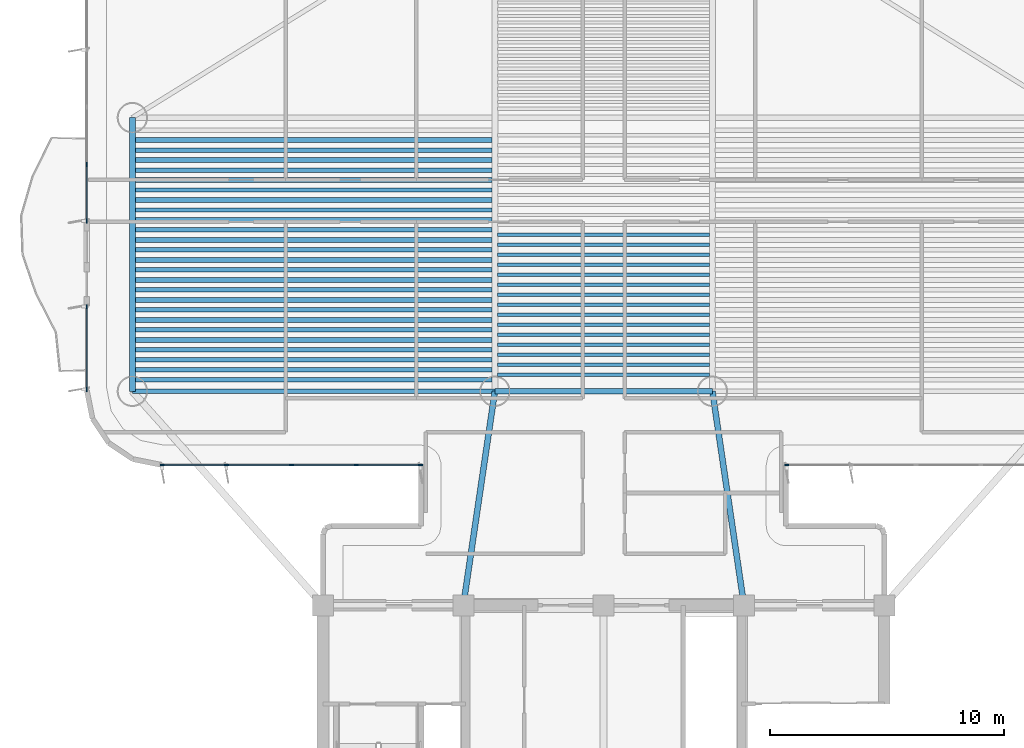
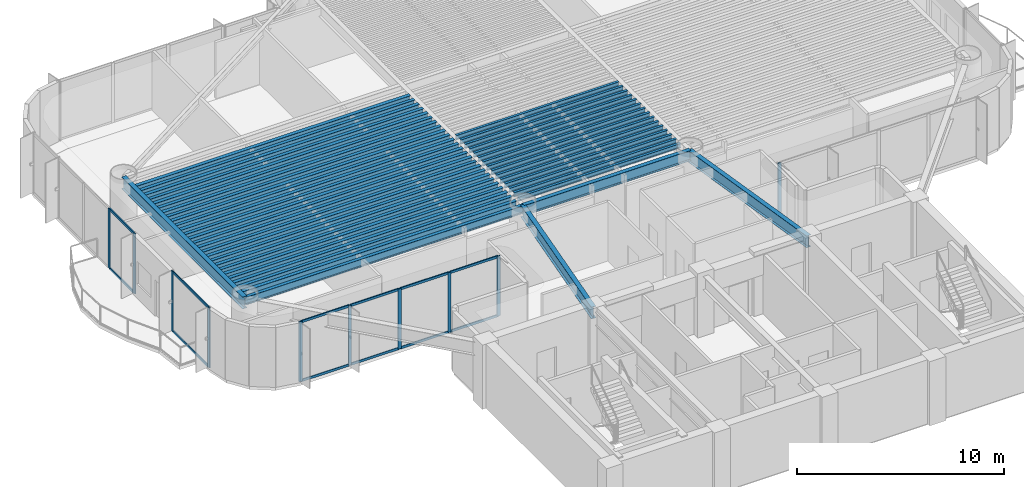
# One storey, part 2 of 16: 45 beams, 22 members, 4 elements without a shape of their own.
"""IFC4 building model written with IfcOpenShell, lengths in metres."""

from ifc_helpers import new_model, si_unit, direction, frame, origin, origin_2d, place, context, subcontext, project, spatial, rectangle, i_section, extrude, source, transform, mapped, material, layer, layer_set, material_profile, profile_set, type_object, element, aggregate, save


model = new_model("IFC4")

# Units and contexts
model_context = context("Model", 3, precision=1e-05, world=origin(), true_north=direction((0.0, 1.0)))
body_context = subcontext(model_context, "Body", "Model", "MODEL_VIEW")
ifc_project = project(units=[si_unit("LENGTHUNIT", "METRE"), si_unit("AREAUNIT", "SQUARE_METRE"), si_unit("VOLUMEUNIT", "CUBIC_METRE"), si_unit("PLANEANGLEUNIT", "RADIAN"), si_unit("MASSUNIT", "GRAM", prefix="KILO")], contexts=[model_context])

# Site, building, storey
site_placement = place(None, origin())
site = spatial("IfcSite", under=ifc_project, at=site_placement, CompositionType="ELEMENT")
building_placement = place(site_placement, origin())
building = spatial("IfcBuilding", under=site, at=building_placement, Name="Brelvock Crest Care Tower", CompositionType="ELEMENT")
storey_placement = place(building_placement, frame((0.0, 0.0, 123.840087890625)))
storey = spatial("IfcBuildingStorey", under=building, at=storey_placement, Name="L31", CompositionType="ELEMENT", Elevation=123.840087890625)

# Beams
ifc_material_1 = material(Name="Steel Grade 350", Category="steel")
ifc_material_profile_1 = material_profile(ifc_material_1, i_section(OverallWidth=0.22900390625, OverallDepth=0.612060546875, WebThickness=0.011962890625, FlangeThickness=0.01953125, FilletRadius=0.013916015625, at=origin_2d()), Name="610UB125")
ifc_profile_set_1 = profile_set([ifc_material_profile_1], Name="Steel Grade 350")
beam_type_1 = type_object("IfcBeamType", Name="BM-G1", PredefinedType="BEAM", material=ifc_profile_set_1)
shared_shape_1 = source(origin(), body_context, "Body", "SweptSolid", [
    extrude(i_section(OverallWidth=0.22900390625, OverallDepth=0.612060546875, WebThickness=0.011962890625, FlangeThickness=0.01953125, FilletRadius=0.013916015625, at=origin_2d()), origin(), (0.0, 0.0, 1.0), 9.2998046875),
])
beam_1_placement = place(storey_placement, frame((31.35009765625, 27.14990234375, 3.223876953125), z_axis=(1.0, 0.0, 0.0), x_axis=(0.0, 1.0, 0.0)))
element("IfcBeam", 1, at=beam_1_placement, inside=storey, type_object=beam_type_1, Name="BM-TWR-L31-05", PredefinedType="BEAM", context=body_context, shape_type="MappedRepresentation", body=[
    mapped(shared_shape_1, transform((0.0, 0.0, 0.0), x_axis=(1.0, 0.0, 0.0), y_axis=(0.0, 1.0, 0.0), z_axis=(0.0, 0.0, 1.0), scale=1.0)),
])
ifc_material_profile_2 = material_profile(ifc_material_1, i_section(OverallWidth=0.14599609375, OverallDepth=0.256103515625, WebThickness=0.00634765625, FlangeThickness=0.010986328125, FilletRadius=0.0087890625, at=origin_2d()), Name="250UB37.3")
ifc_profile_set_2 = profile_set([ifc_material_profile_2], Name="Steel Grade 350")
beam_type_2 = type_object("IfcBeamType", Name="BM-J3", PredefinedType="JOIST", material=ifc_profile_set_2)
shared_shape_2 = source(origin(), body_context, "Body", "SweptSolid", [
    extrude(i_section(OverallWidth=0.14599609375, OverallDepth=0.256103515625, WebThickness=0.00634765625, FlangeThickness=0.010986328125, FilletRadius=0.0087890625, at=origin_2d()), origin(), (0.0, 0.0, 1.0), 9.06982421875),
])
for number, where, z_axis, x_axis, name in (
    (2, (31.465087890625, 27.85498046875, 3.40185546875), (1.0, 0.0, 0.0), (0.0, 1.0, 0.0), "BM-JH-L31-1"),
    (3, (31.465087890625, 28.281982421875, 3.40185546875), (1.0, 0.0, 0.0), (0.0, 1.0, 0.0), "BM-JH-L31-2"),
    (4, (31.465087890625, 28.708984375, 3.40185546875), (1.0, 0.0, 0.0), (0.0, 1.0, 0.0), "BM-JH-L31-3"),
    (5, (31.465087890625, 29.135986328125, 3.40185546875), (1.0, 0.0, 0.0), (0.0, 1.0, 0.0), "BM-JH-L31-4"),
    (6, (31.465087890625, 29.56298828125, 3.40185546875), (1.0, 0.0, 0.0), (0.0, 1.0, 0.0), "BM-JH-L31-5"),
    (7, (31.465087890625, 29.990234375, 3.40185546875), (1.0, 0.0, 0.0), (0.0, 1.0, 0.0), "BM-JH-L31-6"),
    (8, (31.465087890625, 30.417236328125, 3.40185546875), (1.0, 0.0, 0.0), (0.0, 1.0, 0.0), "BM-JH-L31-7"),
    (9, (31.465087890625, 30.84423828125, 3.40185546875), (1.0, 0.0, 0.0), (0.0, 1.0, 0.0), "BM-JH-L31-8"),
    (10, (31.465087890625, 31.271240234375, 3.40185546875), (1.0, 0.0, 0.0), (0.0, 1.0, 0.0), "BM-JH-L31-9"),
    (11, (31.465087890625, 31.698486328125, 3.40185546875), (1.0, 0.0, 0.0), (0.0, 1.0, 0.0), "BM-JH-L31-10"),
    (12, (31.465087890625, 32.12548828125, 3.40185546875), (1.0, 0.0, 0.0), (0.0, 1.0, 0.0), "BM-JH-L31-11"),
    (13, (31.465087890625, 32.552490234375, 3.40185546875), (1.0, 0.0, 0.0), (0.0, 1.0, 0.0), "BM-JH-L31-12"),
    (14, (31.465087890625, 32.9794921875, 3.40185546875), (1.0, 0.0, 0.0), (0.0, 1.0, 0.0), "BM-JH-L31-13"),
    (15, (31.465087890625, 33.406494140625, 3.40185546875), (1.0, 0.0, 0.0), (0.0, 1.0, 0.0), "BM-JH-L31-14"),
    (16, (31.465087890625, 33.83349609375, 3.40185546875), (1.0, 0.0, 0.0), (0.0, 1.0, 0.0), "BM-JH-L31-15"),
):
    element("IfcBeam", number, at=place(storey_placement, frame(where, z_axis=z_axis, x_axis=x_axis)), inside=storey, type_object=beam_type_2, Name=name, PredefinedType="JOIST", context=body_context, shape_type="MappedRepresentation", body=[
        mapped(shared_shape_2, transform((0.0, 0.0, 0.0), x_axis=(1.0, 0.0, 0.0), y_axis=(0.0, 1.0, 0.0), z_axis=(0.0, 0.0, 1.0), scale=1.0)),
    ])
ifc_material_profile_3 = material_profile(ifc_material_1, i_section(OverallWidth=0.208984375, OverallDepth=0.532958984375, WebThickness=0.01025390625, FlangeThickness=0.015625, FilletRadius=0.013916015625, at=origin_2d()), Name="530UB92.4")
ifc_profile_set_3 = profile_set([ifc_material_profile_3], Name="Steel Grade 350")
beam_type_3 = type_object("IfcBeamType", Name="BM-G2", PredefinedType="BEAM", material=ifc_profile_set_3)
shared_shape_3 = source(origin(), body_context, "Body", "SweptSolid", [
    extrude(i_section(OverallWidth=0.208984375, OverallDepth=0.532958984375, WebThickness=0.01025390625, FlangeThickness=0.015625, FilletRadius=0.013916015625, at=origin_2d()), origin(), (0.0, 0.0, 1.0), 15.27001953125),
])
for number, where, z_axis, x_axis, name in (
    (17, (15.965087890625, 27.641357421875, 3.263427734375), (1.0, 0.0, 0.0), (0.0, 1.0, 0.0), "BM-JW-L31-1"),
    (18, (15.965087890625, 28.49560546875, 3.263427734375), (1.0, 0.0, 0.0), (0.0, 1.0, 0.0), "BM-JW-L31-3"),
    (19, (15.965087890625, 29.349609375, 3.263427734375), (1.0, 0.0, 0.0), (0.0, 1.0, 0.0), "BM-JW-L31-5"),
    (20, (15.965087890625, 30.20361328125, 3.263427734375), (1.0, 0.0, 0.0), (0.0, 1.0, 0.0), "BM-JW-L31-7"),
    (21, (15.965087890625, 31.057861328125, 3.263427734375), (1.0, 0.0, 0.0), (0.0, 1.0, 0.0), "BM-JW-L31-9"),
    (22, (15.965087890625, 31.911865234375, 3.263427734375), (1.0, 0.0, 0.0), (0.0, 1.0, 0.0), "BM-JW-L31-11"),
    (23, (15.965087890625, 32.76611328125, 3.263427734375), (1.0, 0.0, 0.0), (0.0, 1.0, 0.0), "BM-JW-L31-13"),
    (24, (15.965087890625, 33.6201171875, 3.263427734375), (1.0, 0.0, 0.0), (0.0, 1.0, 0.0), "BM-JW-L31-15"),
    (25, (15.965087890625, 34.47412109375, 3.263427734375), (1.0, 0.0, 0.0), (0.0, 1.0, 0.0), "BM-JW-L31-17"),
    (26, (15.965087890625, 35.328369140625, 3.263427734375), (1.0, 0.0, 0.0), (0.0, 1.0, 0.0), "BM-JW-L31-19"),
    (27, (15.965087890625, 36.182373046875, 3.263427734375), (1.0, 0.0, 0.0), (0.0, 1.0, 0.0), "BM-JW-L31-21"),
    (28, (15.965087890625, 37.03662109375, 3.263427734375), (1.0, 0.0, 0.0), (0.0, 1.0, 0.0), "BM-JW-L31-23"),
    (29, (15.965087890625, 37.890625, 3.263427734375), (1.0, 0.0, 0.0), (0.0, 1.0, 0.0), "BM-JW-L31-25"),
):
    element("IfcBeam", number, at=place(storey_placement, frame(where, z_axis=z_axis, x_axis=x_axis)), inside=storey, type_object=beam_type_3, Name=name, PredefinedType="BEAM", context=body_context, shape_type="MappedRepresentation", body=[
        mapped(shared_shape_3, transform((0.0, 0.0, 0.0), x_axis=(1.0, 0.0, 0.0), y_axis=(0.0, 1.0, 0.0), z_axis=(0.0, 0.0, 1.0), scale=1.0)),
    ])
ifc_material_profile_4 = material_profile(ifc_material_1, i_section(OverallWidth=0.19091796875, OverallDepth=0.4599609375, WebThickness=0.010009765625, FlangeThickness=0.01611328125, FilletRadius=0.011474609375, at=origin_2d()), Name="460UB82.1")
ifc_profile_set_4 = profile_set([ifc_material_profile_4], Name="Steel Grade 350")
beam_type_4 = type_object("IfcBeamType", Name="BM-G3", PredefinedType="BEAM", material=ifc_profile_set_4)
shared_shape_4 = source(origin(), body_context, "Body", "SweptSolid", [
    extrude(i_section(OverallWidth=0.19091796875, OverallDepth=0.4599609375, WebThickness=0.010009765625, FlangeThickness=0.01611328125, FilletRadius=0.011474609375, at=origin_2d()), origin(), (0.0, 0.0, 1.0), 15.27001953125),
])
for number, where, z_axis, x_axis, name in (
    (30, (15.965087890625, 28.068359375, 3.2998046875), (1.0, 0.0, 0.0), (0.0, 1.0, 0.0), "BM-JW-L31-2"),
    (31, (15.965087890625, 28.922607421875, 3.2998046875), (1.0, 0.0, 0.0), (0.0, 1.0, 0.0), "BM-JW-L31-4"),
    (32, (15.965087890625, 29.776611328125, 3.2998046875), (1.0, 0.0, 0.0), (0.0, 1.0, 0.0), "BM-JW-L31-6"),
    (33, (15.965087890625, 30.630615234375, 3.2998046875), (1.0, 0.0, 0.0), (0.0, 1.0, 0.0), "BM-JW-L31-8"),
    (34, (15.965087890625, 31.48486328125, 3.2998046875), (1.0, 0.0, 0.0), (0.0, 1.0, 0.0), "BM-JW-L31-10"),
    (35, (15.965087890625, 32.3388671875, 3.2998046875), (1.0, 0.0, 0.0), (0.0, 1.0, 0.0), "BM-JW-L31-12"),
    (36, (15.965087890625, 33.193115234375, 3.2998046875), (1.0, 0.0, 0.0), (0.0, 1.0, 0.0), "BM-JW-L31-14"),
    (37, (15.965087890625, 34.047119140625, 3.2998046875), (1.0, 0.0, 0.0), (0.0, 1.0, 0.0), "BM-JW-L31-16"),
    (38, (15.965087890625, 34.901123046875, 3.2998046875), (1.0, 0.0, 0.0), (0.0, 1.0, 0.0), "BM-JW-L31-18"),
    (39, (15.965087890625, 35.75537109375, 3.2998046875), (1.0, 0.0, 0.0), (0.0, 1.0, 0.0), "BM-JW-L31-20"),
    (40, (15.965087890625, 36.609619140625, 3.2998046875), (1.0, 0.0, 0.0), (0.0, 1.0, 0.0), "BM-JW-L31-22"),
    (41, (15.965087890625, 37.46337890625, 3.2998046875), (1.0, 0.0, 0.0), (0.0, 1.0, 0.0), "BM-JW-L31-24"),
):
    element("IfcBeam", number, at=place(storey_placement, frame(where, z_axis=z_axis, x_axis=x_axis)), inside=storey, type_object=beam_type_4, Name=name, PredefinedType="BEAM", context=body_context, shape_type="MappedRepresentation", body=[
        mapped(shared_shape_4, transform((0.0, 0.0, 0.0), x_axis=(1.0, 0.0, 0.0), y_axis=(0.0, 1.0, 0.0), z_axis=(0.0, 0.0, 1.0), scale=1.0)),
    ])
ifc_material_profile_5 = material_profile(ifc_material_1, i_section(OverallWidth=0.25, OverallDepth=0.699951171875, WebThickness=0.011962890625, FlangeThickness=0.02001953125, at=origin_2d()), Name="700WB150")
ifc_profile_set_5 = profile_set([ifc_material_profile_5], Name="Steel Grade 350")
beam_type_5 = type_object("IfcBeamType", Name="BM-G4", PredefinedType="BEAM", material=ifc_profile_set_5)
shared_shape_5 = source(origin(), body_context, "Body", "SweptSolid", [
    extrude(i_section(OverallWidth=0.25, OverallDepth=0.699951171875, WebThickness=0.011962890625, FlangeThickness=0.02001953125, at=origin_2d()), origin(), (0.0, 0.0, 1.0), 11.7001953125),
])
beam_2_placement = place(storey_placement, frame((15.85009765625, 27.14990234375, 3.179931640625), z_axis=(0.0, 1.0, 0.0), x_axis=(-1.0, 0.0, 0.0)))
element("IfcBeam", 42, at=beam_2_placement, inside=storey, type_object=beam_type_5, Name="BM-TWR-L31-01", PredefinedType="BEAM", context=body_context, shape_type="MappedRepresentation", body=[
    mapped(shared_shape_5, transform((0.0, 0.0, 0.0), x_axis=(1.0, 0.0, 0.0), y_axis=(0.0, 1.0, 0.0), z_axis=(0.0, 0.0, 1.0), scale=1.0)),
])
ifc_material_profile_6 = material_profile(ifc_material_1, i_section(OverallWidth=0.19091796875, OverallDepth=0.4599609375, WebThickness=0.010009765625, FlangeThickness=0.01611328125, FilletRadius=0.011474609375, at=origin_2d()), Name="460UB82.1")
ifc_profile_set_6 = profile_set([ifc_material_profile_6], Name="Steel Grade 350")
beam_type_6 = type_object("IfcBeamType", Name="BM-SP2", PredefinedType="SPANDREL", material=ifc_profile_set_6)
shared_shape_6 = source(origin(), body_context, "Body", "SweptSolid", [
    extrude(i_section(OverallWidth=0.19091796875, OverallDepth=0.4599609375, WebThickness=0.010009765625, FlangeThickness=0.01611328125, FilletRadius=0.011474609375, at=origin_2d()), origin(), (0.0, 0.0, 1.0), 15.5),
])
beam_3_placement = place(storey_placement, frame((15.85009765625, 27.14990234375, 3.2998046875), z_axis=(1.0, 0.0, 0.0), x_axis=(0.0, 1.0, 0.0)))
element("IfcBeam", 43, at=beam_3_placement, inside=storey, type_object=beam_type_6, Name="BM-TWR-L31-03", PredefinedType="SPANDREL", context=body_context, shape_type="MappedRepresentation", body=[
    mapped(shared_shape_6, transform((0.0, 0.0, 0.0), x_axis=(1.0, 0.0, 0.0), y_axis=(0.0, 1.0, 0.0), z_axis=(0.0, 0.0, 1.0), scale=1.0)),
])
shared_shape_7 = source(origin(), body_context, "Body", "SweptSolid", [
    extrude(i_section(OverallWidth=0.25, OverallDepth=0.699951171875, WebThickness=0.011962890625, FlangeThickness=0.02001953125, at=origin_2d()), origin(), (0.0, 0.0, 1.0), 9.2490234375),
])
for number, where, z_axis, x_axis, name in (
    (44, (30.0, 18.0, 3.179931640625), (0.145972731602, 0.989288613918, 0.0), (-0.989288613918, 0.145972731602, 0.0), "BM-THRW-L31"),
    (45, (42.0, 18.0, 3.179931640625), (-0.145972731602, 0.989288613918, 0.0), (-0.989288613918, -0.145972731602, 0.0), "BM-THRE-L31"),
):
    element("IfcBeam", number, at=place(storey_placement, frame(where, z_axis=z_axis, x_axis=x_axis)), inside=storey, type_object=beam_type_5, Name=name, PredefinedType="BEAM", context=body_context, shape_type="MappedRepresentation", body=[
        mapped(shared_shape_7, transform((0.0, 0.0, 0.0), x_axis=(1.0, 0.0, 0.0), y_axis=(0.0, 1.0, 0.0), z_axis=(0.0, 0.0, 1.0), scale=1.0)),
    ])

# Curtain wall, members
ifc_material_2 = material(Name="Dark Glass Double Glazed Low-E", Category="glass")
ifc_layer = layer(ifc_material_2, 0.2099609375, Name="CWS-3")
ifc_layer_set = layer_set([ifc_layer], Name="Dark Glass Double Glazed Low-E")
curtain_wall_type = type_object("IfcCurtainWallType", Name="CWS-3", PredefinedType="NOTDEFINED", material=ifc_layer_set)
curtain_wall_1_placement = place(storey_placement, origin())
curtain_wall_1 = element("IfcCurtainWall", 46, at=curtain_wall_1_placement, inside=storey, type_object=curtain_wall_type, Name="L31 Curtain Wall E12", PredefinedType="NOTDEFINED")
ifc_material_3 = material(Name="Aluminium 6063-T6", Category="aluminium")
ifc_material_profile_7 = material_profile(ifc_material_3, rectangle(XDim=0.06005859375, YDim=0.179931640625, at=origin_2d()), Name="ALU60x180")
ifc_profile_set_7 = profile_set([ifc_material_profile_7], Name="Aluminium 6063-T6")
member_type_1 = type_object("IfcMemberType", Name="CWM-2", PredefinedType="MULLION", material=ifc_profile_set_7)
shared_shape_8 = source(origin(), body_context, "Body", "SweptSolid", [
    extrude(rectangle(XDim=0.06005859375, YDim=0.179931640625, at=origin_2d()), origin(), (0.0, 0.0, 1.0), 3.530029296875),
])
member_1_placement = place(storey_placement, frame((28.169921875, 24.0, 0.0), z_axis=(0.0, 0.0, 1.0), x_axis=(0.0, -1.0, 0.0)))
member_1 = element("IfcMember", 47, at=member_1_placement, type_object=member_type_1, Name="CW-3 mullion 1", PredefinedType="MULLION", context=body_context, shape_type="MappedRepresentation", body=[
    mapped(shared_shape_8, transform((0.0, 0.0, 0.0), x_axis=(1.0, 0.0, 0.0), y_axis=(0.0, 1.0, 0.0), z_axis=(0.0, 0.0, 1.0), scale=1.0)),
])
member_2_placement = place(storey_placement, frame((25.425048828125, 24.0, 0.0), z_axis=(0.0, 0.0, 1.0), x_axis=(0.0, -1.0, 0.0)))
member_2 = element("IfcMember", 48, at=member_2_placement, type_object=member_type_1, Name="CW-3 mullion 2", PredefinedType="MULLION", context=body_context, shape_type="MappedRepresentation", body=[
    mapped(shared_shape_8, transform((0.0, 0.0, 0.0), x_axis=(1.0, 0.0, 0.0), y_axis=(0.0, 1.0, 0.0), z_axis=(0.0, 0.0, 1.0), scale=1.0)),
])
member_3_placement = place(storey_placement, frame((22.64990234375, 24.0, 0.0), z_axis=(0.0, 0.0, 1.0), x_axis=(0.0, -1.0, 0.0)))
member_3 = element("IfcMember", 49, at=member_3_placement, type_object=member_type_1, Name="CW-3 mullion 3", PredefinedType="MULLION", context=body_context, shape_type="MappedRepresentation", body=[
    mapped(shared_shape_8, transform((0.0, 0.0, 0.0), x_axis=(1.0, 0.0, 0.0), y_axis=(0.0, 1.0, 0.0), z_axis=(0.0, 0.0, 1.0), scale=1.0)),
])
member_4_placement = place(storey_placement, frame((19.875, 24.0, 0.0), z_axis=(0.0, 0.0, 1.0), x_axis=(0.0, -1.0, 0.0)))
member_4 = element("IfcMember", 50, at=member_4_placement, type_object=member_type_1, Name="CW-3 mullion 4", PredefinedType="MULLION", context=body_context, shape_type="MappedRepresentation", body=[
    mapped(shared_shape_8, transform((0.0, 0.0, 0.0), x_axis=(1.0, 0.0, 0.0), y_axis=(0.0, 1.0, 0.0), z_axis=(0.0, 0.0, 1.0), scale=1.0)),
])
member_5_placement = place(storey_placement, frame((17.1298828125, 24.0, 0.0), z_axis=(0.0, 0.0, 1.0), x_axis=(0.0, -1.0, 0.0)))
member_5 = element("IfcMember", 51, at=member_5_placement, type_object=member_type_1, Name="CW-3 mullion 5", PredefinedType="MULLION", context=body_context, shape_type="MappedRepresentation", body=[
    mapped(shared_shape_8, transform((0.0, 0.0, 0.0), x_axis=(1.0, 0.0, 0.0), y_axis=(0.0, 1.0, 0.0), z_axis=(0.0, 0.0, 1.0), scale=1.0)),
])

curtain_wall_2_placement = place(storey_placement, origin())
curtain_wall_2 = element("IfcCurtainWall", 52, at=curtain_wall_2_placement, inside=storey, type_object=curtain_wall_type, Name="L31 Curtain Wall E17A", PredefinedType="NOTDEFINED")
member_6_placement = place(storey_placement, frame((13.89990234375, 27.22998046875, 0.0), z_axis=(0.0, 0.0, 1.0), x_axis=(-1.0, 0.0, 0.0)))
member_6 = element("IfcMember", 53, at=member_6_placement, type_object=member_type_1, Name="CW-3 mullion 1", PredefinedType="MULLION", context=body_context, shape_type="MappedRepresentation", body=[
    mapped(shared_shape_8, transform((0.0, 0.0, 0.0), x_axis=(1.0, 0.0, 0.0), y_axis=(0.0, 1.0, 0.0), z_axis=(0.0, 0.0, 1.0), scale=1.0)),
])
member_7_placement = place(storey_placement, frame((13.89990234375, 30.77001953125, 0.0), z_axis=(0.0, 0.0, 1.0), x_axis=(-1.0, 0.0, 0.0)))
member_7 = element("IfcMember", 54, at=member_7_placement, type_object=member_type_1, Name="CW-3 mullion 2", PredefinedType="MULLION", context=body_context, shape_type="MappedRepresentation", body=[
    mapped(shared_shape_8, transform((0.0, 0.0, 0.0), x_axis=(1.0, 0.0, 0.0), y_axis=(0.0, 1.0, 0.0), z_axis=(0.0, 0.0, 1.0), scale=1.0)),
])

curtain_wall_3_placement = place(storey_placement, origin())
curtain_wall_3 = element("IfcCurtainWall", 55, at=curtain_wall_3_placement, inside=storey, type_object=curtain_wall_type, Name="L31 Curtain Wall E17B", PredefinedType="NOTDEFINED")
member_8_placement = place(storey_placement, frame((13.89990234375, 34.429931640625, 0.0), z_axis=(0.0, 0.0, 1.0), x_axis=(-1.0, 0.0, 0.0)))
member_8 = element("IfcMember", 56, at=member_8_placement, type_object=member_type_1, Name="CW-3 mullion 1", PredefinedType="MULLION", context=body_context, shape_type="MappedRepresentation", body=[
    mapped(shared_shape_8, transform((0.0, 0.0, 0.0), x_axis=(1.0, 0.0, 0.0), y_axis=(0.0, 1.0, 0.0), z_axis=(0.0, 0.0, 1.0), scale=1.0)),
])
member_9_placement = place(storey_placement, frame((13.89990234375, 36.85009765625, 0.0), z_axis=(0.0, 0.0, 1.0), x_axis=(-1.0, 0.0, 0.0)))
member_9 = element("IfcMember", 57, at=member_9_placement, type_object=member_type_1, Name="CW-3 mullion 2", PredefinedType="MULLION", context=body_context, shape_type="MappedRepresentation", body=[
    mapped(shared_shape_8, transform((0.0, 0.0, 0.0), x_axis=(1.0, 0.0, 0.0), y_axis=(0.0, 1.0, 0.0), z_axis=(0.0, 0.0, 1.0), scale=1.0)),
])

# Curtain wall, member
curtain_wall_4_placement = place(storey_placement, origin())
curtain_wall_4 = element("IfcCurtainWall", 58, at=curtain_wall_4_placement, inside=storey, type_object=curtain_wall_type, Name="L31 Curtain Wall E44", PredefinedType="NOTDEFINED")
member_10_placement = place(storey_placement, frame((43.830078125, 24.0, 0.0), z_axis=(0.0, 0.0, 1.0), x_axis=(0.0, -1.0, 0.0)))
member_10 = element("IfcMember", 59, at=member_10_placement, type_object=member_type_1, Name="CW-3 mullion 5", PredefinedType="MULLION", context=body_context, shape_type="MappedRepresentation", body=[
    mapped(shared_shape_8, transform((0.0, 0.0, 0.0), x_axis=(1.0, 0.0, 0.0), y_axis=(0.0, 1.0, 0.0), z_axis=(0.0, 0.0, 1.0), scale=1.0)),
])
aggregate(curtain_wall_4, [member_10])

# Member
ifc_material_profile_8 = material_profile(ifc_material_3, rectangle(XDim=0.06005859375, YDim=0.139892578125, at=origin_2d()), Name="ALU60x140")
ifc_profile_set_8 = profile_set([ifc_material_profile_8], Name="Aluminium 6063-T6")
member_type_2 = type_object("IfcMemberType", Name="CWT-2", PredefinedType="USERDEFINED", material=ifc_profile_set_8)
shared_shape_9 = source(origin(), body_context, "Body", "SweptSolid", [
    extrude(rectangle(XDim=0.06005859375, YDim=0.139892578125, at=origin_2d()), origin(), (0.0, 0.0, 1.0), 2.684814453125),
])
member_11_placement = place(storey_placement, frame((28.139892578125, 24.0, 0.030029296875), z_axis=(-1.0, 0.0, 0.0), x_axis=(0.0, -1.0, 0.0)))
member_11 = element("IfcMember", 60, at=member_11_placement, type_object=member_type_2, Name="CW-3 transom 1.1", ObjectType="TRANSOM", PredefinedType="USERDEFINED", context=body_context, shape_type="MappedRepresentation", body=[
    mapped(shared_shape_9, transform((0.0, 0.0, 0.0), x_axis=(1.0, 0.0, 0.0), y_axis=(0.0, 1.0, 0.0), z_axis=(0.0, 0.0, 1.0), scale=1.0)),
])

member_12_placement = place(storey_placement, frame((28.139892578125, 24.0, 3.5), z_axis=(-1.0, 0.0, 0.0), x_axis=(0.0, -1.0, 0.0)))
member_12 = element("IfcMember", 61, at=member_12_placement, type_object=member_type_2, Name="CW-3 transom 1.2", ObjectType="TRANSOM", PredefinedType="USERDEFINED", context=body_context, shape_type="MappedRepresentation", body=[
    mapped(shared_shape_9, transform((0.0, 0.0, 0.0), x_axis=(1.0, 0.0, 0.0), y_axis=(0.0, 1.0, 0.0), z_axis=(0.0, 0.0, 1.0), scale=1.0)),
])

shared_shape_10 = source(origin(), body_context, "Body", "SweptSolid", [
    extrude(rectangle(XDim=0.06005859375, YDim=0.139892578125, at=origin_2d()), origin(), (0.0, 0.0, 1.0), 2.715087890625),
])
member_13_placement = place(storey_placement, frame((25.39501953125, 24.0, 0.030029296875), z_axis=(-1.0, 0.0, 0.0), x_axis=(0.0, -1.0, 0.0)))
member_13 = element("IfcMember", 62, at=member_13_placement, type_object=member_type_2, Name="CW-3 transom 2.1", ObjectType="TRANSOM", PredefinedType="USERDEFINED", context=body_context, shape_type="MappedRepresentation", body=[
    mapped(shared_shape_10, transform((0.0, 0.0, 0.0), x_axis=(1.0, 0.0, 0.0), y_axis=(0.0, 1.0, 0.0), z_axis=(0.0, 0.0, 1.0), scale=1.0)),
])

member_14_placement = place(storey_placement, frame((25.39501953125, 24.0, 3.5), z_axis=(-1.0, 0.0, 0.0), x_axis=(0.0, -1.0, 0.0)))
member_14 = element("IfcMember", 63, at=member_14_placement, type_object=member_type_2, Name="CW-3 transom 2.2", ObjectType="TRANSOM", PredefinedType="USERDEFINED", context=body_context, shape_type="MappedRepresentation", body=[
    mapped(shared_shape_10, transform((0.0, 0.0, 0.0), x_axis=(1.0, 0.0, 0.0), y_axis=(0.0, 1.0, 0.0), z_axis=(0.0, 0.0, 1.0), scale=1.0)),
])

member_15_placement = place(storey_placement, frame((22.6201171875, 24.0, 0.030029296875), z_axis=(-1.0, 0.0, 0.0), x_axis=(0.0, -1.0, 0.0)))
member_15 = element("IfcMember", 64, at=member_15_placement, type_object=member_type_2, Name="CW-3 transom 3.1", ObjectType="TRANSOM", PredefinedType="USERDEFINED", context=body_context, shape_type="MappedRepresentation", body=[
    mapped(shared_shape_10, transform((0.0, 0.0, 0.0), x_axis=(1.0, 0.0, 0.0), y_axis=(0.0, 1.0, 0.0), z_axis=(0.0, 0.0, 1.0), scale=1.0)),
])

member_16_placement = place(storey_placement, frame((22.6201171875, 24.0, 3.5), z_axis=(-1.0, 0.0, 0.0), x_axis=(0.0, -1.0, 0.0)))
member_16 = element("IfcMember", 65, at=member_16_placement, type_object=member_type_2, Name="CW-3 transom 3.2", ObjectType="TRANSOM", PredefinedType="USERDEFINED", context=body_context, shape_type="MappedRepresentation", body=[
    mapped(shared_shape_10, transform((0.0, 0.0, 0.0), x_axis=(1.0, 0.0, 0.0), y_axis=(0.0, 1.0, 0.0), z_axis=(0.0, 0.0, 1.0), scale=1.0)),
])

shared_shape_11 = source(origin(), body_context, "Body", "SweptSolid", [
    extrude(rectangle(XDim=0.06005859375, YDim=0.139892578125, at=origin_2d()), origin(), (0.0, 0.0, 1.0), 2.68505859375),
])
member_17_placement = place(storey_placement, frame((19.844970703125, 24.0, 0.030029296875), z_axis=(-1.0, 0.0, 0.0), x_axis=(0.0, -1.0, 0.0)))
member_17 = element("IfcMember", 66, at=member_17_placement, type_object=member_type_2, Name="CW-3 transom 4.1", ObjectType="TRANSOM", PredefinedType="USERDEFINED", context=body_context, shape_type="MappedRepresentation", body=[
    mapped(shared_shape_11, transform((0.0, 0.0, 0.0), x_axis=(1.0, 0.0, 0.0), y_axis=(0.0, 1.0, 0.0), z_axis=(0.0, 0.0, 1.0), scale=1.0)),
])

member_18_placement = place(storey_placement, frame((19.844970703125, 24.0, 3.5), z_axis=(-1.0, 0.0, 0.0), x_axis=(0.0, -1.0, 0.0)))
member_18 = element("IfcMember", 67, at=member_18_placement, type_object=member_type_2, Name="CW-3 transom 4.2", ObjectType="TRANSOM", PredefinedType="USERDEFINED", context=body_context, shape_type="MappedRepresentation", body=[
    mapped(shared_shape_11, transform((0.0, 0.0, 0.0), x_axis=(1.0, 0.0, 0.0), y_axis=(0.0, 1.0, 0.0), z_axis=(0.0, 0.0, 1.0), scale=1.0)),
])

aggregate(curtain_wall_1, [member_1, member_2, member_3, member_4, member_5, member_11, member_12, member_13, member_14, member_15, member_16, member_17, member_18])

shared_shape_12 = source(origin(), body_context, "Body", "SweptSolid", [
    extrude(rectangle(XDim=0.06005859375, YDim=0.139892578125, at=origin_2d()), origin(), (0.0, 0.0, 1.0), 3.47998046875),
])
member_19_placement = place(storey_placement, frame((13.89990234375, 27.260009765625, 0.030029296875), z_axis=(0.0, 1.0, 0.0), x_axis=(-1.0, 0.0, 0.0)))
member_19 = element("IfcMember", 68, at=member_19_placement, type_object=member_type_2, Name="CW-3 transom 1.1", ObjectType="TRANSOM", PredefinedType="USERDEFINED", context=body_context, shape_type="MappedRepresentation", body=[
    mapped(shared_shape_12, transform((0.0, 0.0, 0.0), x_axis=(1.0, 0.0, 0.0), y_axis=(0.0, 1.0, 0.0), z_axis=(0.0, 0.0, 1.0), scale=1.0)),
])

member_20_placement = place(storey_placement, frame((13.89990234375, 27.260009765625, 3.5), z_axis=(0.0, 1.0, 0.0), x_axis=(-1.0, 0.0, 0.0)))
member_20 = element("IfcMember", 69, at=member_20_placement, type_object=member_type_2, Name="CW-3 transom 1.2", ObjectType="TRANSOM", PredefinedType="USERDEFINED", context=body_context, shape_type="MappedRepresentation", body=[
    mapped(shared_shape_12, transform((0.0, 0.0, 0.0), x_axis=(1.0, 0.0, 0.0), y_axis=(0.0, 1.0, 0.0), z_axis=(0.0, 0.0, 1.0), scale=1.0)),
])

aggregate(curtain_wall_2, [member_6, member_7, member_19, member_20])

shared_shape_13 = source(origin(), body_context, "Body", "SweptSolid", [
    extrude(rectangle(XDim=0.06005859375, YDim=0.139892578125, at=origin_2d()), origin(), (0.0, 0.0, 1.0), 2.360107421875),
])
member_21_placement = place(storey_placement, frame((13.89990234375, 34.4599609375, 0.030029296875), z_axis=(0.0, 1.0, 0.0), x_axis=(-1.0, 0.0, 0.0)))
member_21 = element("IfcMember", 70, at=member_21_placement, type_object=member_type_2, Name="CW-3 transom 1.1", ObjectType="TRANSOM", PredefinedType="USERDEFINED", context=body_context, shape_type="MappedRepresentation", body=[
    mapped(shared_shape_13, transform((0.0, 0.0, 0.0), x_axis=(1.0, 0.0, 0.0), y_axis=(0.0, 1.0, 0.0), z_axis=(0.0, 0.0, 1.0), scale=1.0)),
])

member_22_placement = place(storey_placement, frame((13.89990234375, 34.4599609375, 3.5), z_axis=(0.0, 1.0, 0.0), x_axis=(-1.0, 0.0, 0.0)))
member_22 = element("IfcMember", 71, at=member_22_placement, type_object=member_type_2, Name="CW-3 transom 1.2", ObjectType="TRANSOM", PredefinedType="USERDEFINED", context=body_context, shape_type="MappedRepresentation", body=[
    mapped(shared_shape_13, transform((0.0, 0.0, 0.0), x_axis=(1.0, 0.0, 0.0), y_axis=(0.0, 1.0, 0.0), z_axis=(0.0, 0.0, 1.0), scale=1.0)),
])

aggregate(curtain_wall_3, [member_8, member_9, member_21, member_22])

save(model, "model.ifc")
